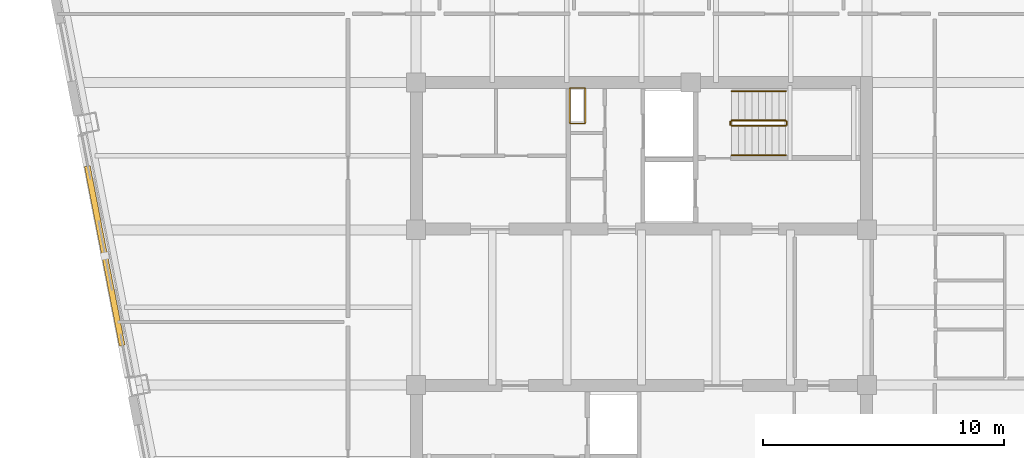
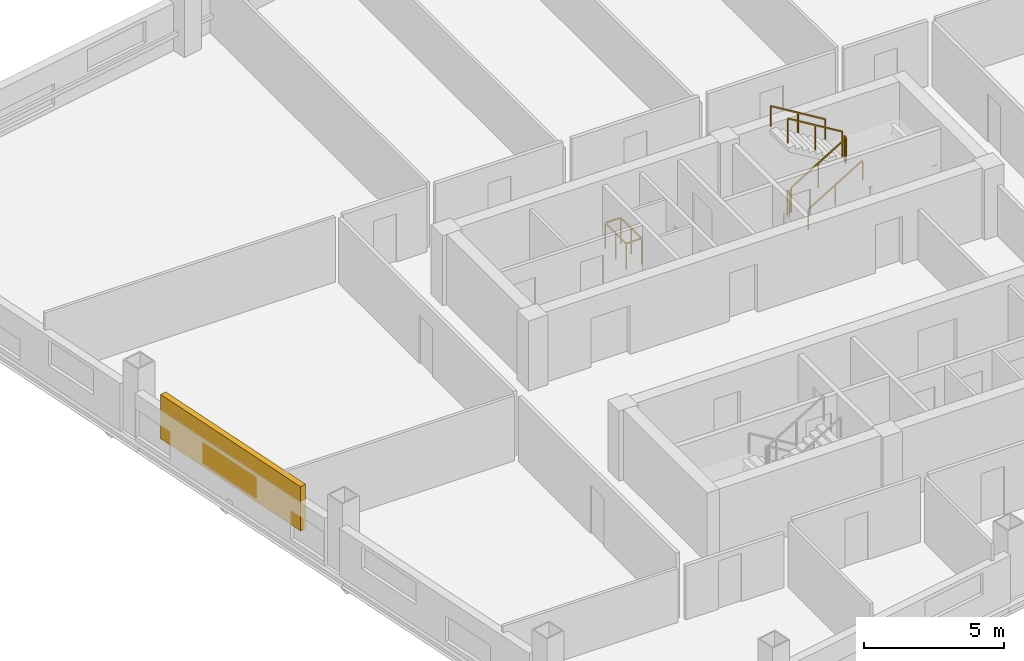
# One storey, part 8 of 9: 7 railings, 1 shading device.
"""IFC4 building model written with IfcOpenShell, lengths in metres."""

import ifcopenshell
import ifcopenshell.guid

model = None  # the IFC model being written
_history = None  # IfcOwnerHistory: only IFC2X3 demands one
_inside = {}  # id of a spatial element -> (the spatial element, [elements in it])
_under = {}  # id of a project, library or spatial element -> (it, [spatial elements below it])
_declared = {}  # id of a project -> (the project, [libraries it declares])
_typed = {}  # id of a type object -> (the type object, [elements of that type])
_made_of = {}  # id of a material, layer set ... -> (it, [elements and type objects made of it])


def new_model(schema):
    """Start an empty IFC model of exactly this schema.

    Asked for "IFC4X3", IfcOpenShell would pick the latest addendum, in which some entities
    have other attributes; the version numbers below select the first issue.
    IFC2X3 requires an IfcOwnerHistory on every rooted entity: one is made here for all.
    """
    global model, _history
    if schema == "IFC4X3":
        model = ifcopenshell.file(schema_version=(4, 3, 0, 0))
    else:
        model = ifcopenshell.file(schema=schema)
    _inside.clear()
    _under.clear()
    _declared.clear()
    _typed.clear()
    _made_of.clear()
    _history = None
    if model.schema == "IFC2X3":
        org = make("IfcOrganization", Name="unknown")
        user = make(
            "IfcPersonAndOrganization",
            ThePerson=make("IfcPerson", FamilyName="unknown"),
            TheOrganization=org,
        )
        app = make(
            "IfcApplication",
            ApplicationDeveloper=org,
            Version="unknown",
            ApplicationFullName="unknown",
            ApplicationIdentifier="unknown",
        )
        _history = make(
            "IfcOwnerHistory",
            OwningUser=user,
            OwningApplication=app,
            ChangeAction="ADDED",
            CreationDate=0,
        )
    return model


def make(cls, **values):
    """One entity of the class cls with the attributes given. An attribute that is None is left unset."""
    return model.create_entity(
        cls, **{name: value for name, value in values.items() if value is not None}
    )


def rooted(cls, **values):
    """An entity with a GlobalId (a new one), such as an element, a storey or a relation."""
    return make(cls, GlobalId=ifcopenshell.guid.new(), OwnerHistory=_history, **values)


def si_unit(unit_type, name, prefix=None):
    """IfcSIUnit, for example si_unit("LENGTHUNIT", "METRE", prefix="MILLI")."""
    return make("IfcSIUnit", UnitType=unit_type, Prefix=prefix, Name=name)


def assignment(units):
    """IfcUnitAssignment: the units of a project."""
    return None if units is None else make("IfcUnitAssignment", Units=units)


def point(xyz):
    """IfcCartesianPoint."""
    return None if xyz is None else make("IfcCartesianPoint", Coordinates=xyz)


def direction(xyz):
    """IfcDirection."""
    return None if xyz is None else make("IfcDirection", DirectionRatios=xyz)


def frame(location, z_axis=None, x_axis=None):
    """IfcAxis2Placement3D, a coordinate frame: its origin and axes. An axis left out is left unset."""
    return make(
        "IfcAxis2Placement3D",
        Location=point(location),
        Axis=direction(z_axis),
        RefDirection=direction(x_axis),
    )


def frame_2d(location, x_axis=None):
    """IfcAxis2Placement2D, a coordinate frame in the plane: its origin and x axis."""
    return make(
        "IfcAxis2Placement2D", Location=point(location), RefDirection=direction(x_axis)
    )


def origin():
    """The frame at (0, 0, 0) with its axes left unset."""
    return frame((0.0, 0.0, 0.0))


def origin_2d():
    """The frame at (0, 0) in the plane with its x axis left unset."""
    return frame_2d((0.0, 0.0))


def place(relative_to, where):
    """IfcLocalPlacement: puts the frame where relative to a parent placement (None: the world)."""
    return make(
        "IfcLocalPlacement", PlacementRelTo=relative_to, RelativePlacement=where
    )


def context(
    kind, dimensions, precision=None, world=None, true_north=None, identifier=None
):
    """IfcGeometricRepresentationContext, for example the 3D "Model" context."""
    return make(
        "IfcGeometricRepresentationContext",
        ContextIdentifier=identifier,
        ContextType=kind,
        CoordinateSpaceDimension=dimensions,
        Precision=precision,
        WorldCoordinateSystem=world,
        TrueNorth=true_north,
    )


def subcontext(parent, identifier, kind, view, scale=None):
    """IfcGeometricRepresentationSubContext, for example "Body" below "Model"."""
    return make(
        "IfcGeometricRepresentationSubContext",
        ContextIdentifier=identifier,
        ContextType=kind,
        ParentContext=parent,
        TargetScale=scale,
        TargetView=view,
    )


def project(units=None, contexts=None):
    """IfcProject with its units and contexts."""
    return rooted(
        "IfcProject",
        Name="project",
        RepresentationContexts=contexts,
        UnitsInContext=assignment(units),
    )


def spatial(cls, under=None, at=None, **own):
    """A site, building, storey or space (cls), placed at a placement, below another one or the project."""
    s = rooted(cls, ObjectPlacement=at, **own)
    if under is not None:
        _under.setdefault(under.id(), (under, []))[1].append(s)
    return s


def profile(cls, at=None, kind="AREA", **sizes):
    """A parametric profile (cls). Its sizes go by their IFC names, for example OverallWidth=200.0."""
    return make(cls, ProfileType=kind, Position=at, **sizes)


def rectangle(**sizes):
    """IfcRectangleProfileDef."""
    return profile("IfcRectangleProfileDef", **sizes)


def extrude(swept, where, along, depth):
    """IfcExtrudedAreaSolid: the profile swept, set in the frame where, extruded along a direction by depth."""
    return make(
        "IfcExtrudedAreaSolid",
        SweptArea=swept,
        Position=where,
        ExtrudedDirection=direction(along),
        Depth=depth,
    )


def shape(context_of_items, identifier, shape_type, items):
    """IfcShapeRepresentation: the items that make up one representation, for example the "Body"."""
    return make(
        "IfcShapeRepresentation",
        ContextOfItems=context_of_items,
        RepresentationIdentifier=identifier,
        RepresentationType=shape_type,
        Items=items,
    )


def material(Name=None, Category=None):
    """IfcMaterial."""
    return make("IfcMaterial", Name=Name, Category=Category)


def made_of(thing, what):
    """Note that an element or type object is made of a material, layer set ...; save() writes the relation."""
    if what is not None:
        _made_of.setdefault(what.id(), (what, []))[1].append(thing)
    return thing


def type_object(cls, material=None, **own):
    """A type object (cls), such as IfcWallType, which elements share."""
    return made_of(rooted(cls, **own), material)


def element(
    cls,
    number,
    at=None,
    inside=None,
    cuts=None,
    type_object=None,
    material=None,
    context=None,
    identifier="Body",
    shape_type=None,
    held_by="IfcProductDefinitionShape",
    body=None,
    shapes=None,
    **own,
):
    """One element of the class cls, such as IfcWall. Its Tag is "e" and its number.

    at: its placement. inside: the storey or other place that contains it. cuts: it is an
    opening in that element (IfcRelVoidsElement). A single representation is given by context,
    identifier, shape_type and body (its items); several are given by shapes. held_by: the class
    of the entity that holds the representations. save() writes the other relations.
    """
    e = rooted(cls, Tag="e%d" % number, ObjectPlacement=at, **own)
    if body is not None:
        shapes = [shape(context, identifier, shape_type, body)]
    if shapes is not None:
        e.Representation = make(held_by, Representations=shapes)
    if inside is not None:
        _inside.setdefault(inside.id(), (inside, []))[1].append(e)
    if cuts is not None:
        rooted(
            "IfcRelVoidsElement", RelatingBuildingElement=cuts, RelatedOpeningElement=e
        )
    if type_object is not None:
        _typed.setdefault(type_object.id(), (type_object, []))[1].append(e)
    return made_of(e, material)


def aggregate(whole, parts):
    """IfcRelAggregates: a whole, such as a stair, and the parts it consists of."""
    return rooted("IfcRelAggregates", RelatingObject=whole, RelatedObjects=parts)


def save(model, path):
    """Write the relations noted so far, then the file.

    IfcRelAggregates (storeys below a building ...), IfcRelContainedInSpatialStructure (elements
    in a storey), IfcRelDefinesByType, IfcRelAssociatesMaterial and IfcRelDeclares: one each for
    every whole, place, type object, material and project.
    """
    for whole, parts in _under.values():
        aggregate(whole, parts)
    for where, things in _inside.values():
        rooted(
            "IfcRelContainedInSpatialStructure",
            RelatedElements=things,
            RelatingStructure=where,
        )
    for kind, things in _typed.values():
        rooted("IfcRelDefinesByType", RelatedObjects=things, RelatingType=kind)
    for what, things in _made_of.values():
        rooted("IfcRelAssociatesMaterial", RelatedObjects=things, RelatingMaterial=what)
    for by, libraries in _declared.values():
        rooted("IfcRelDeclares", RelatingContext=by, RelatedDefinitions=libraries)
    model.write(path)


model = new_model("IFC4")

# Units and contexts
model_context = context("Model", 3, precision=1e-05, world=origin(), true_north=direction((0.0, 1.0)))
body_context = subcontext(model_context, "Body", "Model", "MODEL_VIEW")
ifc_project = project(units=[si_unit("LENGTHUNIT", "METRE"), si_unit("AREAUNIT", "SQUARE_METRE"), si_unit("VOLUMEUNIT", "CUBIC_METRE"), si_unit("PLANEANGLEUNIT", "RADIAN"), si_unit("MASSUNIT", "GRAM", prefix="KILO")], contexts=[model_context])

# Site, building, storey
site_placement = place(None, origin())
site = spatial("IfcSite", under=ifc_project, at=site_placement, CompositionType="ELEMENT")
building_placement = place(site_placement, origin())
building = spatial("IfcBuilding", under=site, at=building_placement, Name="Qhalaya Broadcast Tower", CompositionType="ELEMENT")
storey_placement = place(building_placement, frame((0.0, 0.0, 128.050048828125)))
storey = spatial("IfcBuildingStorey", under=building, at=storey_placement, Name="L37", CompositionType="ELEMENT", Elevation=128.050048828125)

# Railings
ifc_material_1 = material(Name="Powder-Coated Galvanised Steel", Category="steel")
railing_type_1 = type_object("IfcRailingType", Name="Stair Wall Handrail 900", PredefinedType="HANDRAIL", material=ifc_material_1)
railing_1_placement = place(storey_placement, frame((3.75, 6.929931640625, 0.16943359375)))
element("IfcRailing", 1, at=railing_1_placement, inside=storey, type_object=railing_type_1, Name="L37 ST-1 Stair Handrail 1", PredefinedType="HANDRAIL", context=body_context, shape_type="SweptSolid", body=[
    extrude(rectangle(XDim=0.048095703125, YDim=0.048095703125, at=origin_2d()), frame((0.0, 0.0, 0.8759765625), z_axis=(0.855553338991, 0.0, 0.51771467445), x_axis=(0.0, 1.0, 0.0)), (0.0, 0.0, 1.0), 2.6181640625),
    extrude(rectangle(XDim=0.0419921875, YDim=0.0419921875, at=origin_2d()), origin(), (0.0, 0.0, 1.0), 0.849853515625),
    extrude(rectangle(XDim=0.0419921875, YDim=0.0419921875, at=origin_2d()), frame((1.1201171875, 0.0, 0.677734375)), (0.0, 0.0, 1.0), 0.849853515625),
    extrude(rectangle(XDim=0.0419921875, YDim=0.0419921875, at=origin_2d()), frame((2.239990234375, 0.0, 1.35546875)), (0.0, 0.0, 1.0), 0.849853515625),
])
railing_2_placement = place(storey_placement, frame((5.989990234375, 9.590087890625, 1.6943359375)))
element("IfcRailing", 2, at=railing_2_placement, inside=storey, type_object=railing_type_1, Name="L37 ST-1 Stair Handrail 2", PredefinedType="HANDRAIL", context=body_context, shape_type="SweptSolid", body=[
    extrude(rectangle(XDim=0.048095703125, YDim=0.048095703125, at=origin_2d()), frame((0.0, 0.0, 0.8759765625), z_axis=(-0.855512035549, 0.0, 0.517782924622), x_axis=(0.0, -1.0, 0.0)), (0.0, 0.0, 1.0), 2.618408203125),
    extrude(rectangle(XDim=0.0419921875, YDim=0.0419921875, at=origin_2d()), origin(), (0.0, 0.0, 1.0), 0.849853515625),
    extrude(rectangle(XDim=0.0419921875, YDim=0.0419921875, at=origin_2d()), frame((-1.1201171875, 0.0, 0.677734375)), (0.0, 0.0, 1.0), 0.849853515625),
    extrude(rectangle(XDim=0.0419921875, YDim=0.0419921875, at=origin_2d()), frame((-2.239990234375, 0.0, 1.355712890625)), (0.0, 0.0, 1.0), 0.849853515625),
])
railing_type_2 = type_object("IfcRailingType", Name="Stair Well & Landing Guardrail 1100", PredefinedType="GUARDRAIL", material=ifc_material_1)
railing_3_placement = place(storey_placement, frame((-2.340087890625, 8.239990234375, 0.0)))
element("IfcRailing", 3, at=railing_3_placement, inside=storey, type_object=railing_type_2, Name="L37 Service Riser Opening Safety Guard NRSR", PredefinedType="GUARDRAIL", context=body_context, shape_type="SweptSolid", body=[
    extrude(rectangle(XDim=0.048095703125, YDim=0.048095703125, at=origin_2d()), frame((0.0, 0.02880859375, 1.1259765625), z_axis=(0.0, 1.0, 0.0), x_axis=(-1.0, 0.0, 0.0)), (0.0, 0.0, 1.0), 1.42236328125),
    extrude(rectangle(XDim=0.048095703125, YDim=0.048095703125, at=origin_2d()), frame((-0.02880859375, 1.47998046875, 1.1259765625), z_axis=(-1.0, 0.0, 0.0), x_axis=(0.0, -1.0, 0.0)), (0.0, 0.0, 1.0), 0.582275390625),
    extrude(rectangle(XDim=0.048095703125, YDim=0.048095703125, at=origin_2d()), frame((-0.639892578125, 1.451171875, 1.1259765625), z_axis=(0.0, -1.0, 0.0), x_axis=(1.0, 0.0, 0.0)), (0.0, 0.0, 1.0), 1.42236328125),
    extrude(rectangle(XDim=0.048095703125, YDim=0.048095703125, at=origin_2d()), frame((-0.611083984375, 0.0, 1.1259765625), z_axis=(1.0, 0.0, 0.0), x_axis=(0.0, 1.0, 0.0)), (0.0, 0.0, 1.0), 0.582275390625),
    extrude(rectangle(XDim=0.0419921875, YDim=0.0419921875, at=origin_2d()), origin(), (0.0, 0.0, 1.0), 1.099853515625),
    extrude(rectangle(XDim=0.0419921875, YDim=0.0419921875, at=origin_2d()), frame((0.0, 0.739990234375, 0.0)), (0.0, 0.0, 1.0), 1.099853515625),
    extrude(rectangle(XDim=0.0419921875, YDim=0.0419921875, at=origin_2d()), frame((0.0, 1.47998046875, 0.0)), (0.0, 0.0, 1.0), 1.099853515625),
    extrude(rectangle(XDim=0.0419921875, YDim=0.0419921875, at=origin_2d()), frame((-0.639892578125, 1.47998046875, 0.0)), (0.0, 0.0, 1.0), 1.099853515625),
    extrude(rectangle(XDim=0.0419921875, YDim=0.0419921875, at=origin_2d()), frame((-0.639892578125, 0.739990234375, 0.0)), (0.0, 0.0, 1.0), 1.099853515625),
    extrude(rectangle(XDim=0.0419921875, YDim=0.0419921875, at=origin_2d()), frame((-0.639892578125, 0.0, 0.0)), (0.0, 0.0, 1.0), 1.099853515625),
])
railing_4_placement = place(storey_placement, frame((3.75, 8.14990234375, 0.16943359375)))
element("IfcRailing", 4, at=railing_4_placement, inside=storey, type_object=railing_type_2, Name="L37 ST-1 Stair Guard 1", PredefinedType="GUARDRAIL", context=body_context, shape_type="SweptSolid", body=[
    extrude(rectangle(XDim=0.048095703125, YDim=0.048095703125, at=origin_2d()), frame((0.0, 0.0, 1.076171875), z_axis=(0.855553338991, 0.0, 0.51771467445), x_axis=(0.0, 1.0, 0.0)), (0.0, 0.0, 1.0), 2.6181640625),
    extrude(rectangle(XDim=0.0419921875, YDim=0.0419921875, at=origin_2d()), origin(), (0.0, 0.0, 1.0), 1.050048828125),
    extrude(rectangle(XDim=0.0419921875, YDim=0.0419921875, at=origin_2d()), frame((1.1201171875, 0.0, 0.677734375)), (0.0, 0.0, 1.0), 1.050048828125),
    extrude(rectangle(XDim=0.0419921875, YDim=0.0419921875, at=origin_2d()), frame((2.239990234375, 0.0, 1.35546875)), (0.0, 0.0, 1.0), 1.050048828125),
])
railing_5_placement = place(storey_placement, frame((6.0400390625, 8.199951171875, 1.52490234375)))
element("IfcRailing", 5, at=railing_5_placement, inside=storey, type_object=railing_type_2, Name="L37 ST-1 Stair Guard 2", PredefinedType="GUARDRAIL", context=body_context, shape_type="SweptSolid", body=[
    extrude(rectangle(XDim=0.048095703125, YDim=0.048095703125, at=origin_2d()), frame((0.0, 0.0, 1.076171875), z_axis=(0.0, 1.0, 0.0), x_axis=(-1.0, 0.0, 0.0)), (0.0, 0.0, 1.0), 0.1201171875),
    extrude(rectangle(XDim=0.0419921875, YDim=0.0419921875, at=origin_2d()), origin(), (0.0, 0.0, 1.0), 1.050048828125),
    extrude(rectangle(XDim=0.0419921875, YDim=0.0419921875, at=origin_2d()), frame((0.0, 0.1201171875, 0.0)), (0.0, 0.0, 1.0), 1.050048828125),
])
railing_6_placement = place(storey_placement, frame((5.989990234375, 8.3701171875, 1.6943359375)))
element("IfcRailing", 6, at=railing_6_placement, inside=storey, type_object=railing_type_2, Name="L37 ST-1 Stair Guard 3", PredefinedType="GUARDRAIL", context=body_context, shape_type="SweptSolid", body=[
    extrude(rectangle(XDim=0.048095703125, YDim=0.048095703125, at=origin_2d()), frame((0.0, 0.0, 1.076171875), z_axis=(-0.855512035549, 0.0, 0.517782924622), x_axis=(0.0, -1.0, 0.0)), (0.0, 0.0, 1.0), 2.618408203125),
    extrude(rectangle(XDim=0.0419921875, YDim=0.0419921875, at=origin_2d()), origin(), (0.0, 0.0, 1.0), 1.050048828125),
    extrude(rectangle(XDim=0.0419921875, YDim=0.0419921875, at=origin_2d()), frame((-1.1201171875, 0.0, 0.677734375)), (0.0, 0.0, 1.0), 1.050048828125),
    extrude(rectangle(XDim=0.0419921875, YDim=0.0419921875, at=origin_2d()), frame((-2.239990234375, 0.0, 1.355712890625)), (0.0, 0.0, 1.0), 1.050048828125),
])
railing_7_placement = place(storey_placement, frame((3.699951171875, 8.199951171875, 0.0)))
element("IfcRailing", 7, at=railing_7_placement, inside=storey, type_object=railing_type_2, Name="L37 ST-1 Stair Guard 4", PredefinedType="GUARDRAIL", context=body_context, shape_type="SweptSolid", body=[
    extrude(rectangle(XDim=0.048095703125, YDim=0.048095703125, at=origin_2d()), frame((0.0, 0.0, 1.076171875), z_axis=(0.0, 1.0, 0.0), x_axis=(-1.0, 0.0, 0.0)), (0.0, 0.0, 1.0), 0.1201171875),
    extrude(rectangle(XDim=0.0419921875, YDim=0.0419921875, at=origin_2d()), origin(), (0.0, 0.0, 1.0), 1.050048828125),
    extrude(rectangle(XDim=0.0419921875, YDim=0.0419921875, at=origin_2d()), frame((0.0, 0.1201171875, 0.0)), (0.0, 0.0, 1.0), 1.050048828125),
])

# Shading device
ifc_material_2 = material(Name="Fired Architectural Terracotta", Category="masonry")
shading_device_type = type_object("IfcShadingDeviceType", Name="Terracotta Baguette Solar Screen Assembly TBS-01", PredefinedType="USERDEFINED", material=ifc_material_2)
shading_device_placement = place(storey_placement, frame((-22.3125, 2.742919921875, 0.79248046875), z_axis=(0.0, 0.0, 1.0), x_axis=(0.190808995377, -0.981627183448, 0.0)))
element("IfcShadingDevice", 8, at=shading_device_placement, inside=storey, type_object=shading_device_type, Name="L37 Fired Terracotta Baguette Screen W", ObjectType="BAGUETTE", PredefinedType="USERDEFINED", context=body_context, shape_type="SweptSolid", body=[
    extrude(rectangle(XDim=7.60009765625, YDim=0.239990234375, at=origin_2d()), origin(), (0.0, 0.0, 1.0), 1.924072265625),
])

save(model, "model.ifc")
